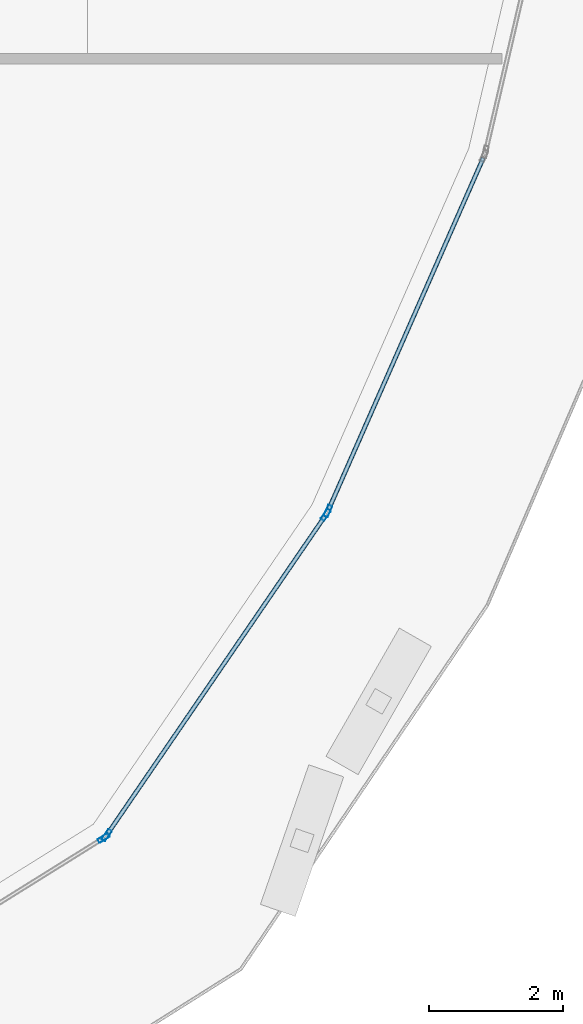
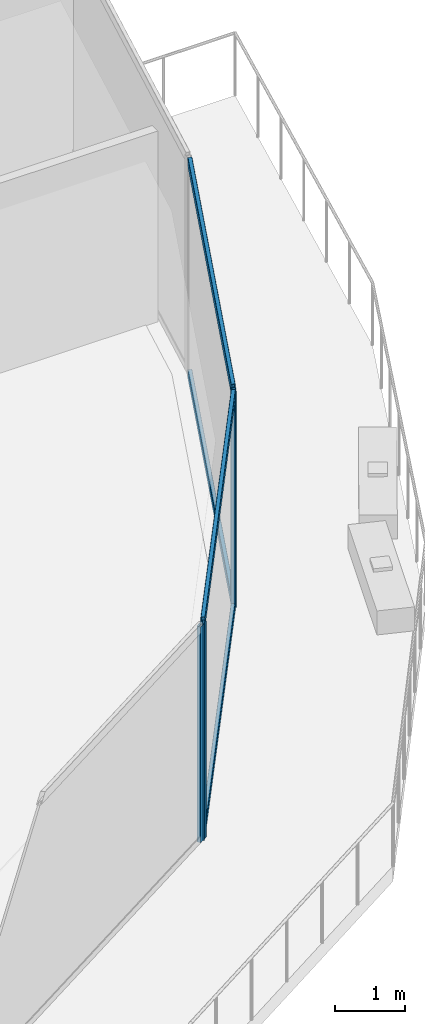
# One storey, part 10 of 30: 8 members, 3 elements without a shape of their own.
"""IFC4 building model written with IfcOpenShell, lengths in metres."""

import ifcopenshell
import ifcopenshell.guid

model = None  # the IFC model being written
_history = None  # IfcOwnerHistory: only IFC2X3 demands one
_inside = {}  # id of a spatial element -> (the spatial element, [elements in it])
_under = {}  # id of a project, library or spatial element -> (it, [spatial elements below it])
_declared = {}  # id of a project -> (the project, [libraries it declares])
_typed = {}  # id of a type object -> (the type object, [elements of that type])
_made_of = {}  # id of a material, layer set ... -> (it, [elements and type objects made of it])


def new_model(schema):
    """Start an empty IFC model of exactly this schema.

    Asked for "IFC4X3", IfcOpenShell would pick the latest addendum, in which some entities
    have other attributes; the version numbers below select the first issue.
    IFC2X3 requires an IfcOwnerHistory on every rooted entity: one is made here for all.
    """
    global model, _history
    if schema == "IFC4X3":
        model = ifcopenshell.file(schema_version=(4, 3, 0, 0))
    else:
        model = ifcopenshell.file(schema=schema)
    _inside.clear()
    _under.clear()
    _declared.clear()
    _typed.clear()
    _made_of.clear()
    _history = None
    if model.schema == "IFC2X3":
        org = make("IfcOrganization", Name="unknown")
        user = make(
            "IfcPersonAndOrganization",
            ThePerson=make("IfcPerson", FamilyName="unknown"),
            TheOrganization=org,
        )
        app = make(
            "IfcApplication",
            ApplicationDeveloper=org,
            Version="unknown",
            ApplicationFullName="unknown",
            ApplicationIdentifier="unknown",
        )
        _history = make(
            "IfcOwnerHistory",
            OwningUser=user,
            OwningApplication=app,
            ChangeAction="ADDED",
            CreationDate=0,
        )
    return model


def make(cls, **values):
    """One entity of the class cls with the attributes given. An attribute that is None is left unset."""
    return model.create_entity(
        cls, **{name: value for name, value in values.items() if value is not None}
    )


def rooted(cls, **values):
    """An entity with a GlobalId (a new one), such as an element, a storey or a relation."""
    return make(cls, GlobalId=ifcopenshell.guid.new(), OwnerHistory=_history, **values)


def si_unit(unit_type, name, prefix=None):
    """IfcSIUnit, for example si_unit("LENGTHUNIT", "METRE", prefix="MILLI")."""
    return make("IfcSIUnit", UnitType=unit_type, Prefix=prefix, Name=name)


def assignment(units):
    """IfcUnitAssignment: the units of a project."""
    return None if units is None else make("IfcUnitAssignment", Units=units)


def point(xyz):
    """IfcCartesianPoint."""
    return None if xyz is None else make("IfcCartesianPoint", Coordinates=xyz)


def direction(xyz):
    """IfcDirection."""
    return None if xyz is None else make("IfcDirection", DirectionRatios=xyz)


def frame(location, z_axis=None, x_axis=None):
    """IfcAxis2Placement3D, a coordinate frame: its origin and axes. An axis left out is left unset."""
    return make(
        "IfcAxis2Placement3D",
        Location=point(location),
        Axis=direction(z_axis),
        RefDirection=direction(x_axis),
    )


def frame_2d(location, x_axis=None):
    """IfcAxis2Placement2D, a coordinate frame in the plane: its origin and x axis."""
    return make(
        "IfcAxis2Placement2D", Location=point(location), RefDirection=direction(x_axis)
    )


def origin():
    """The frame at (0, 0, 0) with its axes left unset."""
    return frame((0.0, 0.0, 0.0))


def origin_2d():
    """The frame at (0, 0) in the plane with its x axis left unset."""
    return frame_2d((0.0, 0.0))


def place(relative_to, where):
    """IfcLocalPlacement: puts the frame where relative to a parent placement (None: the world)."""
    return make(
        "IfcLocalPlacement", PlacementRelTo=relative_to, RelativePlacement=where
    )


def context(
    kind, dimensions, precision=None, world=None, true_north=None, identifier=None
):
    """IfcGeometricRepresentationContext, for example the 3D "Model" context."""
    return make(
        "IfcGeometricRepresentationContext",
        ContextIdentifier=identifier,
        ContextType=kind,
        CoordinateSpaceDimension=dimensions,
        Precision=precision,
        WorldCoordinateSystem=world,
        TrueNorth=true_north,
    )


def subcontext(parent, identifier, kind, view, scale=None):
    """IfcGeometricRepresentationSubContext, for example "Body" below "Model"."""
    return make(
        "IfcGeometricRepresentationSubContext",
        ContextIdentifier=identifier,
        ContextType=kind,
        ParentContext=parent,
        TargetScale=scale,
        TargetView=view,
    )


def project(units=None, contexts=None):
    """IfcProject with its units and contexts."""
    return rooted(
        "IfcProject",
        Name="project",
        RepresentationContexts=contexts,
        UnitsInContext=assignment(units),
    )


def spatial(cls, under=None, at=None, **own):
    """A site, building, storey or space (cls), placed at a placement, below another one or the project."""
    s = rooted(cls, ObjectPlacement=at, **own)
    if under is not None:
        _under.setdefault(under.id(), (under, []))[1].append(s)
    return s


def profile(cls, at=None, kind="AREA", **sizes):
    """A parametric profile (cls). Its sizes go by their IFC names, for example OverallWidth=200.0."""
    return make(cls, ProfileType=kind, Position=at, **sizes)


def hollow_rectangle(**sizes):
    """IfcRectangleHollowProfileDef."""
    return profile("IfcRectangleHollowProfileDef", **sizes)


def extrude(swept, where, along, depth):
    """IfcExtrudedAreaSolid: the profile swept, set in the frame where, extruded along a direction by depth."""
    return make(
        "IfcExtrudedAreaSolid",
        SweptArea=swept,
        Position=where,
        ExtrudedDirection=direction(along),
        Depth=depth,
    )


def shape(context_of_items, identifier, shape_type, items):
    """IfcShapeRepresentation: the items that make up one representation, for example the "Body"."""
    return make(
        "IfcShapeRepresentation",
        ContextOfItems=context_of_items,
        RepresentationIdentifier=identifier,
        RepresentationType=shape_type,
        Items=items,
    )


def material(Name=None, Category=None):
    """IfcMaterial."""
    return make("IfcMaterial", Name=Name, Category=Category)


def layer(
    of_material, thickness, ventilated=None, Name=None, Category=None, Priority=None
):
    """IfcMaterialLayer: one layer of a wall or slab, of a material (None: an air gap)."""
    return make(
        "IfcMaterialLayer",
        Material=of_material,
        LayerThickness=thickness,
        IsVentilated=ventilated,
        Name=Name,
        Category=Category,
        Priority=Priority,
    )


def layer_set(layers, Name=None):
    """IfcMaterialLayerSet."""
    return make("IfcMaterialLayerSet", MaterialLayers=layers, LayerSetName=Name)


def material_profile(
    of_material, cross_section, Name=None, Category=None, Priority=None
):
    """IfcMaterialProfile: a cross section and its material."""
    return make(
        "IfcMaterialProfile",
        Name=Name,
        Material=of_material,
        Profile=cross_section,
        Priority=Priority,
        Category=Category,
    )


def profile_set(profiles, Name=None, composite=None):
    """IfcMaterialProfileSet."""
    return make(
        "IfcMaterialProfileSet",
        Name=Name,
        MaterialProfiles=profiles,
        CompositeProfile=composite,
    )


def made_of(thing, what):
    """Note that an element or type object is made of a material, layer set ...; save() writes the relation."""
    if what is not None:
        _made_of.setdefault(what.id(), (what, []))[1].append(thing)
    return thing


def type_object(cls, material=None, **own):
    """A type object (cls), such as IfcWallType, which elements share."""
    return made_of(rooted(cls, **own), material)


def element(
    cls,
    number,
    at=None,
    inside=None,
    cuts=None,
    type_object=None,
    material=None,
    context=None,
    identifier="Body",
    shape_type=None,
    held_by="IfcProductDefinitionShape",
    body=None,
    shapes=None,
    **own,
):
    """One element of the class cls, such as IfcWall. Its Tag is "e" and its number.

    at: its placement. inside: the storey or other place that contains it. cuts: it is an
    opening in that element (IfcRelVoidsElement). A single representation is given by context,
    identifier, shape_type and body (its items); several are given by shapes. held_by: the class
    of the entity that holds the representations. save() writes the other relations.
    """
    e = rooted(cls, Tag="e%d" % number, ObjectPlacement=at, **own)
    if body is not None:
        shapes = [shape(context, identifier, shape_type, body)]
    if shapes is not None:
        e.Representation = make(held_by, Representations=shapes)
    if inside is not None:
        _inside.setdefault(inside.id(), (inside, []))[1].append(e)
    if cuts is not None:
        rooted(
            "IfcRelVoidsElement", RelatingBuildingElement=cuts, RelatedOpeningElement=e
        )
    if type_object is not None:
        _typed.setdefault(type_object.id(), (type_object, []))[1].append(e)
    return made_of(e, material)


def aggregate(whole, parts):
    """IfcRelAggregates: a whole, such as a stair, and the parts it consists of."""
    return rooted("IfcRelAggregates", RelatingObject=whole, RelatedObjects=parts)


def save(model, path):
    """Write the relations noted so far, then the file.

    IfcRelAggregates (storeys below a building ...), IfcRelContainedInSpatialStructure (elements
    in a storey), IfcRelDefinesByType, IfcRelAssociatesMaterial and IfcRelDeclares: one each for
    every whole, place, type object, material and project.
    """
    for whole, parts in _under.values():
        aggregate(whole, parts)
    for where, things in _inside.values():
        rooted(
            "IfcRelContainedInSpatialStructure",
            RelatedElements=things,
            RelatingStructure=where,
        )
    for kind, things in _typed.values():
        rooted("IfcRelDefinesByType", RelatedObjects=things, RelatingType=kind)
    for what, things in _made_of.values():
        rooted("IfcRelAssociatesMaterial", RelatedObjects=things, RelatingMaterial=what)
    for by, libraries in _declared.values():
        rooted("IfcRelDeclares", RelatingContext=by, RelatedDefinitions=libraries)
    model.write(path)


model = new_model("IFC4")

# Units and contexts
model_context = context("Model", 3, precision=1e-05, world=origin(), true_north=direction((0.0, 1.0)))
body_context = subcontext(model_context, "Body", "Model", "MODEL_VIEW")
ifc_project = project(units=[si_unit("LENGTHUNIT", "METRE"), si_unit("AREAUNIT", "SQUARE_METRE"), si_unit("VOLUMEUNIT", "CUBIC_METRE"), si_unit("PLANEANGLEUNIT", "RADIAN"), si_unit("MASSUNIT", "GRAM", prefix="KILO")], contexts=[model_context])

# Site, building, storey
site_placement = place(None, origin())
site = spatial("IfcSite", under=ifc_project, at=site_placement, CompositionType="ELEMENT")
building_placement = place(site_placement, origin())
building = spatial("IfcBuilding", under=site, at=building_placement, Name="Qorvath Tower", CompositionType="ELEMENT")
storey_placement = place(building_placement, frame((0.0, 0.0, 217.199951171875)))
storey = spatial("IfcBuildingStorey", under=building, at=storey_placement, Name="L50", CompositionType="ELEMENT", Elevation=217.199951171875)

# Curtain wall, member
ifc_material_1 = material(Name="Anodised aluminium and triple low-E glass", Category="aluminium")
ifc_layer = layer(ifc_material_1, 0.179931640625)
ifc_layer_set = layer_set([ifc_layer], Name="CW-SYS-3")
curtain_wall_type = type_object("IfcCurtainWallType", Name="CW-SYS-3", PredefinedType="NOTDEFINED", material=ifc_layer_set)
curtain_wall_1_placement = place(storey_placement, origin())
curtain_wall_1 = element("IfcCurtainWall", 1, at=curtain_wall_1_placement, inside=storey, type_object=curtain_wall_type, Name="Curtain Wall CW-3 CW-T-L50-4.1", PredefinedType="NOTDEFINED")
ifc_material_2 = material(Name="Anodised aluminium 6063-T6", Category="aluminium")
ifc_material_profile_1 = material_profile(ifc_material_2, hollow_rectangle(XDim=0.06494140625, YDim=0.179931640625, WallThickness=0.00341796875, InnerFilletRadius=0.00341796875, OuterFilletRadius=0.007080078125, at=origin_2d()), Name="CWM 180x65")
ifc_profile_set_1 = profile_set([ifc_material_profile_1], Name="Anodised aluminium 6063-T6")
member_type_1 = type_object("IfcMemberType", Name="CWM-180", PredefinedType="MULLION", material=ifc_profile_set_1)
member_1_placement = place(storey_placement, frame((-6.95703125, -20.15478515625, 0.0), z_axis=(0.0, 0.0, 1.0), x_axis=(-0.528981931327, 0.848633086987, 0.0)))
member_1 = element("IfcMember", 2, at=member_1_placement, type_object=member_type_1, Name="CW-3 mullion 2", PredefinedType="MULLION", context=body_context, shape_type="SweptSolid", body=[
    extrude(hollow_rectangle(XDim=0.06494140625, YDim=0.179931640625, WallThickness=0.00341796875, InnerFilletRadius=0.00341796875, OuterFilletRadius=0.007080078125, at=origin_2d()), origin(), (0.0, 0.0, 1.0), 3.780029296875),
])
aggregate(curtain_wall_1, [member_1])

# Curtain wall, members
curtain_wall_2_placement = place(storey_placement, origin())
curtain_wall_2 = element("IfcCurtainWall", 3, at=curtain_wall_2_placement, inside=storey, type_object=curtain_wall_type, Name="Curtain Wall CW-3 CW-T-L50-5.1", PredefinedType="NOTDEFINED")
member_2_placement = place(storey_placement, frame((-6.9111328125, -20.11083984375, 0.0), z_axis=(0.0, 0.0, 1.0), x_axis=(-0.825264440165, 0.564746495163, 0.0)))
member_2 = element("IfcMember", 4, at=member_2_placement, type_object=member_type_1, Name="CW-3 mullion 1", PredefinedType="MULLION", context=body_context, shape_type="SweptSolid", body=[
    extrude(hollow_rectangle(XDim=0.06494140625, YDim=0.179931640625, WallThickness=0.00341796875, InnerFilletRadius=0.00341796875, OuterFilletRadius=0.007080078125, at=origin_2d()), origin(), (0.0, 0.0, 1.0), 3.780029296875),
])
member_3_placement = place(storey_placement, frame((-3.64794921875, -15.342529296875, 0.0), z_axis=(0.0, 0.0, 1.0), x_axis=(-0.825264440165, 0.564746495163, 0.0)))
member_3 = element("IfcMember", 5, at=member_3_placement, type_object=member_type_1, Name="CW-3 mullion 2", PredefinedType="MULLION", context=body_context, shape_type="SweptSolid", body=[
    extrude(hollow_rectangle(XDim=0.06494140625, YDim=0.179931640625, WallThickness=0.00341796875, InnerFilletRadius=0.00341796875, OuterFilletRadius=0.007080078125, at=origin_2d()), origin(), (0.0, 0.0, 1.0), 3.780029296875),
])

# Curtain wall, member
curtain_wall_3_placement = place(storey_placement, origin())
curtain_wall_3 = element("IfcCurtainWall", 6, at=curtain_wall_3_placement, inside=storey, type_object=curtain_wall_type, Name="Curtain Wall CW-3 CW-T-L50-6.1", PredefinedType="NOTDEFINED")
member_4_placement = place(storey_placement, frame((-3.616455078125, -15.285888671875, 0.0), z_axis=(0.0, 0.0, 1.0), x_axis=(-0.915321088723, 0.402724849666, 0.0)))
member_4 = element("IfcMember", 7, at=member_4_placement, type_object=member_type_1, Name="CW-3 mullion 1", PredefinedType="MULLION", context=body_context, shape_type="SweptSolid", body=[
    extrude(hollow_rectangle(XDim=0.06494140625, YDim=0.179931640625, WallThickness=0.00341796875, InnerFilletRadius=0.00341796875, OuterFilletRadius=0.007080078125, at=origin_2d()), origin(), (0.0, 0.0, 1.0), 3.780029296875),
])

# Member
ifc_material_3 = material(Name="Anodised aluminium 6063-T6", Category="aluminium")
ifc_material_profile_2 = material_profile(ifc_material_3, hollow_rectangle(XDim=0.06494140625, YDim=0.159912109375, WallThickness=0.00341796875, InnerFilletRadius=0.00341796875, OuterFilletRadius=0.007080078125, at=origin_2d()), Name="CWT 160x65")
ifc_profile_set_2 = profile_set([ifc_material_profile_2], Name="Anodised aluminium 6063-T6")
member_type_2 = type_object("IfcMemberType", Name="CWT-160", PredefinedType="USERDEFINED", material=ifc_profile_set_2)
member_5_placement = place(storey_placement, frame((-6.892578125, -20.083984375, 0.032470703125), z_axis=(0.564748258868, 0.82526323322, 0.0), x_axis=(-0.82526323322, 0.564748258868, 0.0)))
member_5 = element("IfcMember", 8, at=member_5_placement, type_object=member_type_2, Name="CW-3 transom 1.1", ObjectType="TRANSOM", PredefinedType="USERDEFINED", context=body_context, shape_type="SweptSolid", body=[
    extrude(hollow_rectangle(XDim=0.06494140625, YDim=0.159912109375, WallThickness=0.00341796875, InnerFilletRadius=0.00341796875, OuterFilletRadius=0.007080078125, at=origin_2d()), origin(), (0.0, 0.0, 1.0), 5.712890625),
])

member_6_placement = place(storey_placement, frame((-6.892578125, -20.083984375, 3.74755859375), z_axis=(0.564748258868, 0.82526323322, 0.0), x_axis=(-0.82526323322, 0.564748258868, 0.0)))
member_6 = element("IfcMember", 9, at=member_6_placement, type_object=member_type_2, Name="CW-3 transom 1.2", ObjectType="TRANSOM", PredefinedType="USERDEFINED", context=body_context, shape_type="SweptSolid", body=[
    extrude(hollow_rectangle(XDim=0.06494140625, YDim=0.159912109375, WallThickness=0.00341796875, InnerFilletRadius=0.00341796875, OuterFilletRadius=0.007080078125, at=origin_2d()), origin(), (0.0, 0.0, 1.0), 5.712890625),
])

aggregate(curtain_wall_2, [member_2, member_3, member_5, member_6])

member_7_placement = place(storey_placement, frame((-3.603515625, -15.256103515625, 0.032470703125), z_axis=(0.402761527447, 0.915304950281, 0.0), x_axis=(-0.915304950281, 0.402761527447, 0.0)))
member_7 = element("IfcMember", 10, at=member_7_placement, type_object=member_type_2, Name="CW-3 transom 1.1", ObjectType="TRANSOM", PredefinedType="USERDEFINED", context=body_context, shape_type="SweptSolid", body=[
    extrude(hollow_rectangle(XDim=0.06494140625, YDim=0.159912109375, WallThickness=0.00341796875, InnerFilletRadius=0.00341796875, OuterFilletRadius=0.007080078125, at=origin_2d()), origin(), (0.0, 0.0, 1.0), 5.713134765625),
])

member_8_placement = place(storey_placement, frame((-3.603515625, -15.256103515625, 3.74755859375), z_axis=(0.402761527447, 0.915304950281, 0.0), x_axis=(-0.915304950281, 0.402761527447, 0.0)))
member_8 = element("IfcMember", 11, at=member_8_placement, type_object=member_type_2, Name="CW-3 transom 1.2", ObjectType="TRANSOM", PredefinedType="USERDEFINED", context=body_context, shape_type="SweptSolid", body=[
    extrude(hollow_rectangle(XDim=0.06494140625, YDim=0.159912109375, WallThickness=0.00341796875, InnerFilletRadius=0.00341796875, OuterFilletRadius=0.007080078125, at=origin_2d()), origin(), (0.0, 0.0, 1.0), 5.713134765625),
])

aggregate(curtain_wall_3, [member_4, member_7, member_8])

save(model, "model.ifc")
